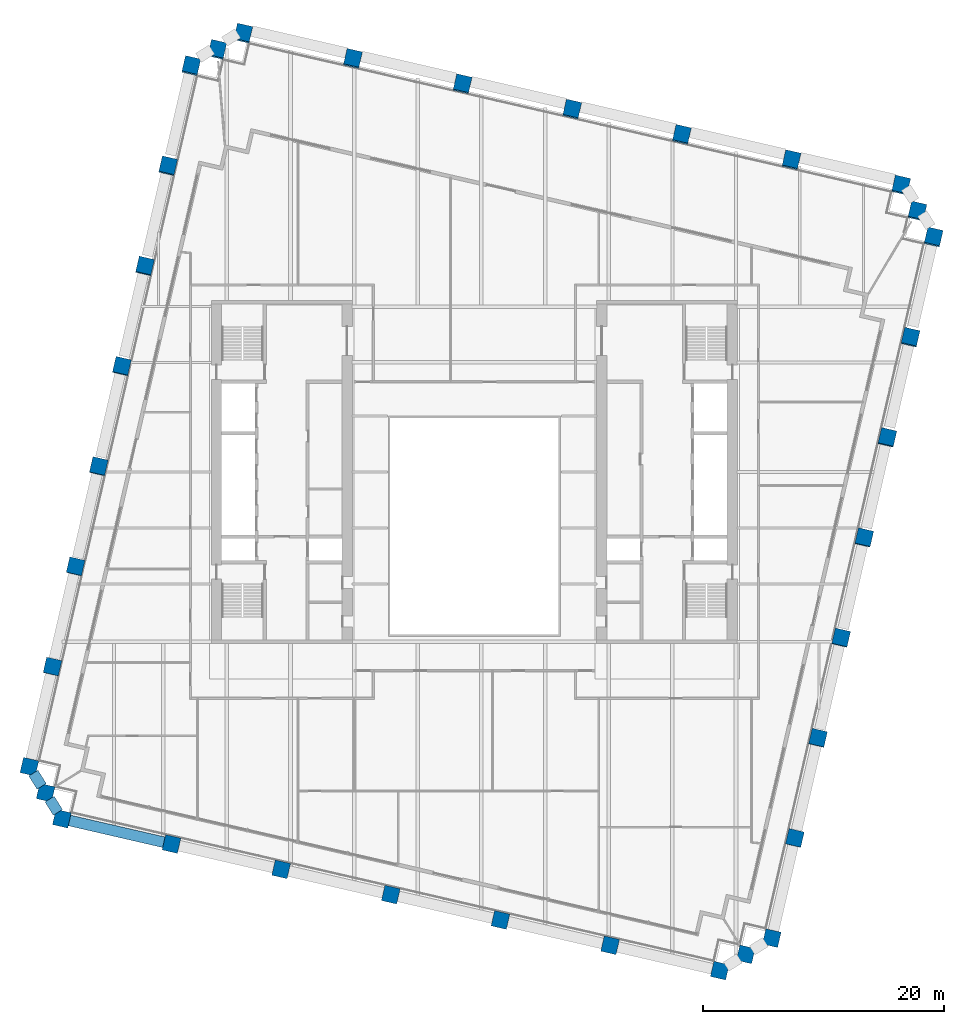
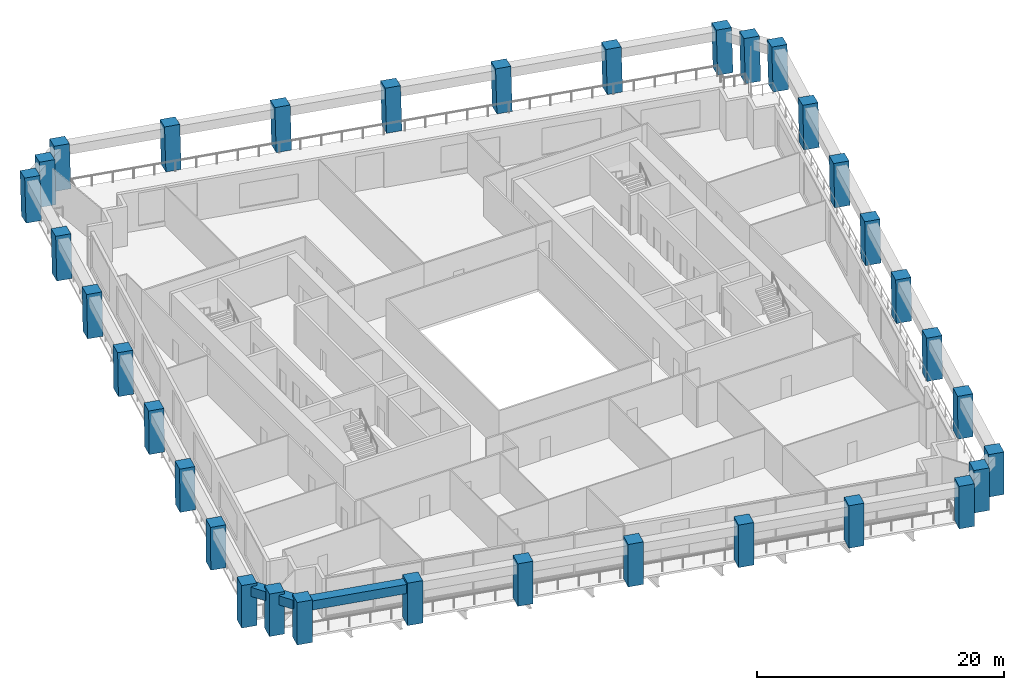
# One storey, part 1 of 12: 34 columns, 3 beams.
"""IFC4 building model written with IfcOpenShell, lengths in metres."""

from ifc_helpers import new_model, si_unit, direction, frame, origin, origin_2d, place, context, subcontext, project, spatial, rectangle, extrude, material, material_profile, profile_set, type_object, element, save


model = new_model("IFC4")

# Units and contexts
model_context = context("Model", 3, precision=1e-05, world=origin(), true_north=direction((0.0, 1.0)))
body_context = subcontext(model_context, "Body", "Model", "MODEL_VIEW")
ifc_project = project(units=[si_unit("LENGTHUNIT", "METRE"), si_unit("AREAUNIT", "SQUARE_METRE"), si_unit("VOLUMEUNIT", "CUBIC_METRE"), si_unit("PLANEANGLEUNIT", "RADIAN"), si_unit("MASSUNIT", "GRAM", prefix="KILO")], contexts=[model_context])

# Site, building, storey
site_placement = place(None, origin())
site = spatial("IfcSite", under=ifc_project, at=site_placement, CompositionType="ELEMENT")
building_placement = place(site_placement, origin())
building = spatial("IfcBuilding", under=site, at=building_placement, Name="Ogive Exchange Tower", CompositionType="ELEMENT")
storey_placement = place(building_placement, frame((0.0, 0.0, 156.0)))
storey = spatial("IfcBuildingStorey", under=building, at=storey_placement, Name="L34", CompositionType="ELEMENT", Elevation=156.0)

# Columns
ifc_material = material(Name="Precast concrete C70/85 (limestone faced)", Category="masonry")
ifc_material_profile_1 = material_profile(ifc_material, rectangle(XDim=1.300048828125, YDim=1.300048828125, at=origin_2d()), Name="1300 x 1300")
ifc_profile_set_1 = profile_set([ifc_material_profile_1], Name="Precast concrete C70/85 (limestone faced)")
column_type = type_object("IfcColumnType", Name="Precast exoskeleton leg 1300 x 1300 C70/85", PredefinedType="COLUMN", material=ifc_profile_set_1)
for number, where, z_axis, x_axis, name in (
    (1, (-34.281982421875, -17.298095703125, 0.0), (0.0, 0.0, 1.0), (0.974370064785, -0.224951054344, 0.0), "Exoskeleton leg 1"),
    (2, (-25.171630859375, -19.401611328125, 0.0), (0.0, 0.0, 1.0), (0.974370064785, -0.224951054344, 0.0), "Exoskeleton leg 2"),
    (3, (-16.061279296875, -21.504638671875, 0.0), (0.0, 0.0, 1.0), (0.974370064785, -0.224951054344, 0.0), "Exoskeleton leg 3"),
    (4, (-6.950927734375, -23.60791015625, 0.0), (0.0, 0.0, 1.0), (0.974370064785, -0.224951054344, 0.0), "Exoskeleton leg 4"),
    (5, (2.159423828125, -25.711181640625, 0.0), (0.0, 0.0, 1.0), (0.974370064785, -0.224951054344, 0.0), "Exoskeleton leg 5"),
    (6, (11.269775390625, -27.814697265625, 0.0), (0.0, 0.0, 1.0), (0.974370064785, -0.224951054344, 0.0), "Exoskeleton leg 6"),
    (7, (20.380126953125, -29.91796875, 0.0), (0.0, 0.0, 1.0), (0.974370064785, -0.224951054344, 0.0), "Exoskeleton leg 7"),
    (8, (24.697509765625, -27.219970703125, 0.0), (0.0, 0.0, 1.0), (0.974370064785, -0.224951054344, 0.0), "Exoskeleton leg 8"),
):
    element("IfcColumn", number, at=place(storey_placement, frame(where, z_axis=z_axis, x_axis=x_axis)), inside=storey, type_object=column_type, Name=name, PredefinedType="COLUMN", context=body_context, shape_type="SweptSolid", body=[
        extrude(rectangle(XDim=1.300048828125, YDim=1.300048828125, at=origin_2d()), origin(), (0.0, 0.0, 1.0), 4.199951171875),
    ])
column_1_placement = place(storey_placement, frame((26.616943359375, -18.90625, 0.0), z_axis=(0.002964348167, 0.012671135303, 0.9999153239), x_axis=(-0.973709261374, 0.227794368487, 0.0)))
element("IfcColumn", 9, at=column_1_placement, inside=storey, type_object=column_type, Name="Exoskeleton leg 9", PredefinedType="COLUMN", context=body_context, shape_type="SweptSolid", body=[
    extrude(rectangle(XDim=1.300048828125, YDim=1.300048828125, at=origin_2d()), origin(), (0.0, 0.0, 1.0), 4.2001953125),
])
column_2_placement = place(storey_placement, frame((28.536376953125, -10.59228515625, 0.0), z_axis=(0.005869091843, 0.025277771797, 0.999663237302), x_axis=(-0.974088391429, 0.226167649504, 0.0)))
element("IfcColumn", 10, at=column_2_placement, inside=storey, type_object=column_type, Name="Exoskeleton leg 10", PredefinedType="COLUMN", context=body_context, shape_type="SweptSolid", body=[
    extrude(rectangle(XDim=1.300048828125, YDim=1.300048828125, at=origin_2d()), origin(), (0.0, 0.0, 1.0), 4.201416015625),
])
column_3_placement = place(storey_placement, frame((30.455810546875, -2.27880859375, 0.0), z_axis=(0.008770865357, 0.037987721479, 0.999239713451), x_axis=(-0.97436607968, 0.224968315033, 0.0)))
element("IfcColumn", 11, at=column_3_placement, inside=storey, type_object=column_type, Name="Exoskeleton leg 11", PredefinedType="COLUMN", context=body_context, shape_type="SweptSolid", body=[
    extrude(rectangle(XDim=1.300048828125, YDim=1.300048828125, at=origin_2d()), origin(), (0.0, 0.0, 1.0), 4.203125),
])
column_4_placement = place(storey_placement, frame((32.375244140625, 6.03515625, 0.0), z_axis=(0.011668267153, 0.050562490995, 0.998652735462), x_axis=(-0.974391195695, 0.224859506699, 0.0)))
element("IfcColumn", 12, at=column_4_placement, inside=storey, type_object=column_type, Name="Exoskeleton leg 12", PredefinedType="COLUMN", context=body_context, shape_type="SweptSolid", body=[
    extrude(rectangle(XDim=1.300048828125, YDim=1.300048828125, at=origin_2d()), origin(), (0.0, 0.0, 1.0), 4.20556640625),
])
column_5_placement = place(storey_placement, frame((34.294677734375, 14.348876953125, 0.0), z_axis=(0.014559841898, 0.063111984005, 0.997900239743), x_axis=(-0.97440628778, 0.224794097641, 0.0)))
element("IfcColumn", 13, at=column_5_placement, inside=storey, type_object=column_type, Name="Exoskeleton leg 13", PredefinedType="COLUMN", context=body_context, shape_type="SweptSolid", body=[
    extrude(rectangle(XDim=1.300048828125, YDim=1.300048828125, at=origin_2d()), origin(), (0.0, 0.0, 1.0), 4.208740234375),
])
column_6_placement = place(storey_placement, frame((36.214111328125, 22.66259765625, 0.0), z_axis=(0.01744401301, 0.075745265796, 0.996974604049), x_axis=(-0.974491627871, 0.224423856151, 0.0)))
element("IfcColumn", 14, at=column_6_placement, inside=storey, type_object=column_type, Name="Exoskeleton leg 14", PredefinedType="COLUMN", context=body_context, shape_type="SweptSolid", body=[
    extrude(rectangle(XDim=1.300048828125, YDim=1.300048828125, at=origin_2d()), origin(), (0.0, 0.0, 1.0), 4.212646484375),
])
for number, where, z_axis, x_axis, name in (
    (15, (38.13330078125, 30.9765625, 0.0), (0.020377597275, 0.088167842757, 0.995897175934), (-0.97431566651, 0.225186549318, 0.0), "Exoskeleton leg 15"),
    (16, (35.435546875, 35.2939453125, 0.0), (0.020319626563, 0.088225387128, 0.995893264282), (-0.974488096918, 0.224439187676, 0.0), "Exoskeleton leg 16"),
    (17, (26.3251953125, 37.397216796875, 0.0), (0.020319626563, 0.088225387128, 0.995893264282), (-0.974488096918, 0.224439187676, 0.0), "Exoskeleton leg 17"),
    (18, (17.214599609375, 39.50048828125, 0.0), (0.020377493232, 0.0882252832, 0.995892091129), (-0.97434807649, 0.225046274885, 0.0), "Exoskeleton leg 18"),
    (19, (8.1044921875, 41.60400390625, 0.0), (0.020319730311, 0.088167946619, 0.995898349105), (-0.97445585692, 0.224579123952, 0.0), "Exoskeleton leg 19"),
    (20, (-1.006103515625, 43.707275390625, 0.0), (0.020377597275, 0.088167842757, 0.995897175934), (-0.97431566651, 0.225186549318, 0.0), "Exoskeleton leg 20"),
    (21, (-10.1162109375, 45.810546875, 0.0), (0.020319626563, 0.088225387128, 0.995893264282), (-0.974488096918, 0.224439187676, 0.0), "Exoskeleton leg 21"),
    (22, (-19.226806640625, 47.913818359375, 0.0), (0.020377493232, 0.0882252832, 0.995892091129), (-0.97434807649, 0.225046274885, 0.0), "Exoskeleton leg 22"),
    (23, (-23.544189453125, 45.2158203125, 0.0), (0.020319626563, 0.088225387128, 0.995893264282), (-0.974488096918, 0.224439187676, 0.0), "Exoskeleton leg 23"),
):
    element("IfcColumn", number, at=place(storey_placement, frame(where, z_axis=z_axis, x_axis=x_axis)), inside=storey, type_object=column_type, Name=name, PredefinedType="COLUMN", context=body_context, shape_type="SweptSolid", body=[
        extrude(rectangle(XDim=1.300048828125, YDim=1.300048828125, at=origin_2d()), origin(), (0.0, 0.0, 1.0), 4.21728515625),
    ])
column_7_placement = place(storey_placement, frame((-25.463623046875, 36.902099609375, 0.0), z_axis=(0.017502025619, 0.075687567741, 0.996977969259), x_axis=(-0.974290512438, 0.225295355862, 0.0)))
element("IfcColumn", 24, at=column_7_placement, inside=storey, type_object=column_type, Name="Exoskeleton leg 24", PredefinedType="COLUMN", context=body_context, shape_type="SweptSolid", body=[
    extrude(rectangle(XDim=1.300048828125, YDim=1.300048828125, at=origin_2d()), origin(), (0.0, 0.0, 1.0), 4.212646484375),
])
column_8_placement = place(storey_placement, frame((-27.383056640625, 28.58837890625, 0.0), z_axis=(0.014559841898, 0.063111984005, 0.997900239743), x_axis=(-0.97440628778, 0.224794097641, 0.0)))
element("IfcColumn", 25, at=column_8_placement, inside=storey, type_object=column_type, Name="Exoskeleton leg 25", PredefinedType="COLUMN", context=body_context, shape_type="SweptSolid", body=[
    extrude(rectangle(XDim=1.300048828125, YDim=1.300048828125, at=origin_2d()), origin(), (0.0, 0.0, 1.0), 4.208740234375),
])
column_9_placement = place(storey_placement, frame((-29.302490234375, 20.2744140625, 0.0), z_axis=(0.011668267153, 0.050562490995, 0.998652735462), x_axis=(-0.974391195695, 0.224859506699, 0.0)))
element("IfcColumn", 26, at=column_9_placement, inside=storey, type_object=column_type, Name="Exoskeleton leg 26", PredefinedType="COLUMN", context=body_context, shape_type="SweptSolid", body=[
    extrude(rectangle(XDim=1.300048828125, YDim=1.300048828125, at=origin_2d()), origin(), (0.0, 0.0, 1.0), 4.20556640625),
])
column_10_placement = place(storey_placement, frame((-31.2216796875, 11.960693359375, 0.0), z_axis=(0.00871280379, 0.037929739166, 0.999242424008), x_axis=(-0.974617095667, 0.223878352757, 0.0)))
element("IfcColumn", 27, at=column_10_placement, inside=storey, type_object=column_type, Name="Exoskeleton leg 27", PredefinedType="COLUMN", context=body_context, shape_type="SweptSolid", body=[
    extrude(rectangle(XDim=1.300048828125, YDim=1.300048828125, at=origin_2d()), origin(), (0.0, 0.0, 1.0), 4.203125),
])
column_11_placement = place(storey_placement, frame((-33.14111328125, 3.64697265625, 0.0), z_axis=(0.005810975449, 0.025335852957, 0.999662106474), x_axis=(-0.974691740237, 0.22355315143, 0.0)))
element("IfcColumn", 28, at=column_11_placement, inside=storey, type_object=column_type, Name="Exoskeleton leg 28", PredefinedType="COLUMN", context=body_context, shape_type="SweptSolid", body=[
    extrude(rectangle(XDim=1.300048828125, YDim=1.300048828125, at=origin_2d()), origin(), (0.0, 0.0, 1.0), 4.201416015625),
])
column_12_placement = place(storey_placement, frame((-35.060546875, -4.666748046875, 0.0), z_axis=(0.002906226325, 0.012613022249, 0.99991622925), x_axis=(-0.974466825284, 0.224531526563, 0.0)))
element("IfcColumn", 29, at=column_12_placement, inside=storey, type_object=column_type, Name="Exoskeleton leg 29", PredefinedType="COLUMN", context=body_context, shape_type="SweptSolid", body=[
    extrude(rectangle(XDim=1.300048828125, YDim=1.300048828125, at=origin_2d()), origin(), (0.0, 0.0, 1.0), 4.2001953125),
])
for number, where, z_axis, x_axis, name in (
    (30, (-36.97998046875, -12.980712890625, 0.0), (0.0, 0.0, 1.0), (0.974370064785, -0.224951054344, 0.0), "Exoskeleton leg 30"),
    (31, (22.538818359375, -28.569091796875, 0.0), (0.0, 0.0, 1.0), (0.974370064785, -0.224951054344, 0.0), "Exoskeleton leg 31"),
):
    element("IfcColumn", number, at=place(storey_placement, frame(where, z_axis=z_axis, x_axis=x_axis)), inside=storey, type_object=column_type, Name=name, PredefinedType="COLUMN", context=body_context, shape_type="SweptSolid", body=[
        extrude(rectangle(XDim=1.300048828125, YDim=1.300048828125, at=origin_2d()), origin(), (0.0, 0.0, 1.0), 4.199951171875),
    ])
for number, where, z_axis, x_axis, name in (
    (32, (36.784423828125, 33.13525390625, 0.0), (0.020377493232, 0.0882252832, 0.995892091129), (-0.97434807649, 0.225046274885, 0.0), "Exoskeleton leg 32"),
    (33, (-21.385498046875, 46.564697265625, 0.0), (0.020377389123, 0.088282722762, 0.995887003065), (-0.97438042596, 0.224906170451, 0.0), "Exoskeleton leg 33"),
):
    element("IfcColumn", number, at=place(storey_placement, frame(where, z_axis=z_axis, x_axis=x_axis)), inside=storey, type_object=column_type, Name=name, PredefinedType="COLUMN", context=body_context, shape_type="SweptSolid", body=[
        extrude(rectangle(XDim=1.300048828125, YDim=1.300048828125, at=origin_2d()), origin(), (0.0, 0.0, 1.0), 4.21728515625),
    ])
column_13_placement = place(storey_placement, frame((-35.631103515625, -15.139404296875, 0.0), z_axis=(0.0, 0.0, 1.0), x_axis=(0.974370064785, -0.224951054344, 0.0)))
element("IfcColumn", 34, at=column_13_placement, inside=storey, type_object=column_type, Name="Exoskeleton leg 34", PredefinedType="COLUMN", context=body_context, shape_type="SweptSolid", body=[
    extrude(rectangle(XDim=1.300048828125, YDim=1.300048828125, at=origin_2d()), origin(), (0.0, 0.0, 1.0), 4.199951171875),
])

# Beams
ifc_material_profile_2 = material_profile(ifc_material, rectangle(XDim=0.89990234375, YDim=0.89990234375, at=origin_2d()), Name="900 x 900")
ifc_profile_set_2 = profile_set([ifc_material_profile_2], Name="Precast concrete C70/85 (limestone faced)")
beam_type = type_object("IfcBeamType", Name="Precast spandrel 900 x 900 C70/85", PredefinedType="SPANDREL", material=ifc_profile_set_2)
beam_placement = place(storey_placement, frame((-33.668212890625, -17.43994140625, 3.5), z_axis=(0.974370337884, -0.224949871421, 0.0), x_axis=(0.224949871421, 0.974370337884, 0.0)))
element("IfcBeam", 35, at=beam_placement, inside=storey, type_object=beam_type, Name="Spandrel 1", PredefinedType="SPANDREL", context=body_context, shape_type="SweptSolid", body=[
    extrude(rectangle(XDim=0.89990234375, YDim=0.89990234375, at=origin_2d()), origin(), (0.0, 0.0, 1.0), 8.08984375),
])
for number, where, z_axis, x_axis, name in (
    (36, (-36.65185546875, -13.505615234375, 3.5), (0.529847842077, -0.848092721491, 0.0), (0.848092721491, 0.529847842077, 0.0), "Spandrel 33"),
    (37, (-35.302978515625, -15.66455078125, 3.5), (0.530066093226, -0.847956329543, 0.0), (0.847956329543, 0.530066093226, 0.0), "Spandrel 34"),
):
    element("IfcBeam", number, at=place(storey_placement, frame(where, z_axis=z_axis, x_axis=x_axis)), inside=storey, type_object=beam_type, Name=name, PredefinedType="SPANDREL", context=body_context, shape_type="SweptSolid", body=[
        extrude(rectangle(XDim=0.89990234375, YDim=0.89990234375, at=origin_2d()), origin(), (0.0, 0.0, 1.0), 1.30712890625),
    ])

save(model, "model.ifc")
